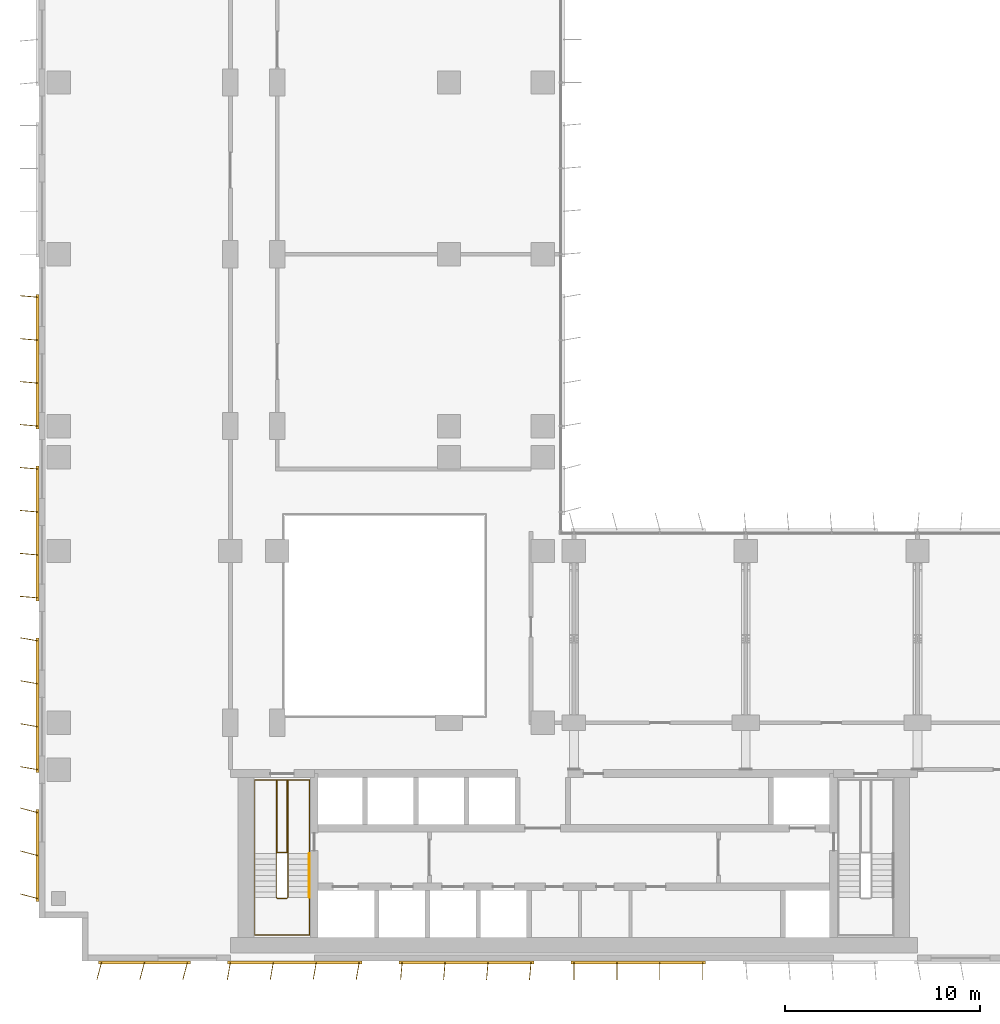
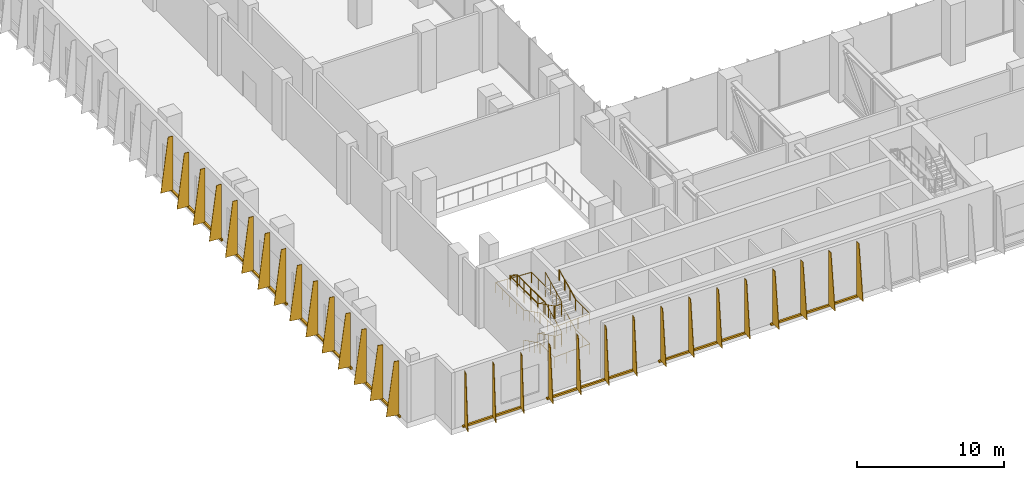
# One storey, part 16 of 21: 8 shading devices, 4 railings.
"""IFC4 building model written with IfcOpenShell, lengths in metres."""

from ifc_helpers import new_model, si_unit, direction, frame, origin, origin_2d, place, context, subcontext, project, spatial, polyline, rectangle, circle, outline, extrude, source, transform, mapped, material, layer, layer_set, type_object, element, save


model = new_model("IFC4")

# Units and contexts
model_context = context("Model", 3, precision=1e-05, world=origin(), true_north=direction((0.0, 1.0)))
body_context = subcontext(model_context, "Body", "Model", "MODEL_VIEW")
ifc_project = project(units=[si_unit("LENGTHUNIT", "METRE"), si_unit("AREAUNIT", "SQUARE_METRE"), si_unit("VOLUMEUNIT", "CUBIC_METRE"), si_unit("PLANEANGLEUNIT", "RADIAN"), si_unit("MASSUNIT", "GRAM", prefix="KILO")], contexts=[model_context])

# Site, building, storey
site_placement = place(None, origin())
site = spatial("IfcSite", under=ifc_project, at=site_placement, CompositionType="ELEMENT")
building_placement = place(site_placement, origin())
building = spatial("IfcBuilding", under=site, at=building_placement, Name="Kemantara Hotel Tower", CompositionType="ELEMENT")
storey_placement = place(building_placement, frame((0.0, 0.0, 133.300048828125)))
storey = spatial("IfcBuildingStorey", under=building, at=storey_placement, Name="L32", CompositionType="ELEMENT", Elevation=133.300048828125)

# Railings
ifc_material_1 = material(Name="Stainless steel balustrade", Category="steel")
railing_type_1 = type_object("IfcRailingType", Name="Stair guard 1100 mm", PredefinedType="GUARDRAIL", material=ifc_material_1)
railing_1_placement = place(storey_placement, frame((12.75, 5.5, 5.0)))
element("IfcRailing", 1, at=railing_1_placement, inside=storey, type_object=railing_type_1, Name="L32 ST1 stair guard 1", PredefinedType="GUARDRAIL", context=body_context, shape_type="SweptSolid", body=[
    extrude(circle(Radius=0.02392578125, at=origin_2d()), frame((0.0, 0.0, 1.076171875), z_axis=(0.0, -0.895848192791, -0.444360231651), x_axis=(1.0, 0.0, 0.0)), (0.0, 0.0, 1.0), 2.50048828125),
    extrude(circle(Radius=0.02392578125, at=origin_2d()), frame((0.0, -2.239990234375, -0.03515625), z_axis=(-0.321014310373, -0.321014310373, -0.891010451718), x_axis=(0.707106781187, -0.707106781187, 0.0)), (0.0, 0.0, 1.0), 0.156005859375),
    extrude(circle(Radius=0.02392578125, at=origin_2d()), frame((-0.050048828125, -2.2900390625, -0.173828125), z_axis=(-1.0, 0.0, 0.0), x_axis=(0.0, -1.0, 0.0)), (0.0, 0.0, 1.0), 0.5),
    extrude(circle(Radius=0.02392578125, at=origin_2d()), frame((-0.550048828125, -2.2900390625, -0.173828125), z_axis=(-0.707106781187, 0.707106781187, 0.0), x_axis=(-0.707106781187, -0.707106781187, 0.0)), (0.0, 0.0, 1.0), 0.07080078125),
    extrude(circle(Radius=0.02392578125, at=origin_2d()), frame((-0.60009765625, -2.239990234375, -0.173828125), z_axis=(0.0, 0.895848192791, -0.444360231651), x_axis=(-1.0, 0.0, 0.0)), (0.0, 0.0, 1.0), 2.50048828125),
    extrude(circle(Radius=0.02392578125, at=origin_2d()), frame((-0.60009765625, 0.0, -1.28515625), z_axis=(0.0, 1.0, 0.0), x_axis=(-1.0, 0.0, 0.0)), (0.0, 0.0, 1.0), 3.780029296875),
    extrude(circle(Radius=0.02392578125, at=origin_2d()), frame((-0.60009765625, 3.780029296875, -1.28515625), z_axis=(0.969557479204, 0.0, -0.244863828525), x_axis=(0.0, 1.0, 0.0)), (0.0, 0.0, 1.0), 0.5673828125),
    extrude(circle(Radius=0.02392578125, at=origin_2d()), frame((-0.050048828125, 3.780029296875, -1.423828125), z_axis=(0.0, -1.0, 0.0), x_axis=(1.0, 0.0, 0.0)), (0.0, 0.0, 1.0), 3.72998046875),
    extrude(circle(Radius=0.02392578125, at=origin_2d()), frame((-0.050048828125, 0.050048828125, -1.423828125), z_axis=(-1.0, 0.0, 0.0), x_axis=(0.0, -1.0, 0.0)), (0.0, 0.0, 1.0), 0.5),
    extrude(circle(Radius=0.02392578125, at=origin_2d()), frame((-0.550048828125, 0.050048828125, -1.423828125), z_axis=(0.0, 1.0, 0.0), x_axis=(-1.0, 0.0, 0.0)), (0.0, 0.0, 1.0), 3.72998046875),
    extrude(circle(Radius=0.02392578125, at=origin_2d()), frame((-0.550048828125, 3.780029296875, -1.423828125), z_axis=(1.0, 0.0, 0.0), x_axis=(0.0, 1.0, 0.0)), (0.0, 0.0, 1.0), 0.550048828125),
    extrude(circle(Radius=0.02392578125, at=origin_2d()), frame((0.0, 3.780029296875, -1.423828125), z_axis=(0.0, -1.0, 0.0), x_axis=(1.0, 0.0, 0.0)), (0.0, 0.0, 1.0), 3.780029296875),
    extrude(circle(Radius=0.02392578125, at=origin_2d()), frame((0.0, 0.0, -1.423828125), z_axis=(0.0, -0.895848192791, -0.444360231651), x_axis=(1.0, 0.0, 0.0)), (0.0, 0.0, 1.0), 2.50048828125),
    extrude(circle(Radius=0.02392578125, at=origin_2d()), frame((0.0, -2.239990234375, -2.53515625), z_axis=(-0.321014310373, -0.321014310373, -0.891010451718), x_axis=(0.707106781187, -0.707106781187, 0.0)), (0.0, 0.0, 1.0), 0.156005859375),
    extrude(circle(Radius=0.02392578125, at=origin_2d()), frame((-0.050048828125, -2.2900390625, -2.673828125), z_axis=(-1.0, 0.0, 0.0), x_axis=(0.0, -1.0, 0.0)), (0.0, 0.0, 1.0), 0.5),
    extrude(circle(Radius=0.02392578125, at=origin_2d()), frame((-0.550048828125, -2.2900390625, -2.673828125), z_axis=(-0.707106781187, 0.707106781187, 0.0), x_axis=(-0.707106781187, -0.707106781187, 0.0)), (0.0, 0.0, 1.0), 0.07080078125),
    extrude(circle(Radius=0.02392578125, at=origin_2d()), frame((-0.60009765625, -2.239990234375, -2.673828125), z_axis=(0.0, 0.895848192791, -0.444360231651), x_axis=(-1.0, 0.0, 0.0)), (0.0, 0.0, 1.0), 2.50048828125),
    extrude(circle(Radius=0.02392578125, at=origin_2d()), frame((-0.60009765625, 0.0, -3.78515625), z_axis=(0.321014310373, 0.321014310373, -0.891010451718), x_axis=(-0.707106781187, 0.707106781187, 0.0)), (0.0, 0.0, 1.0), 0.156005859375),
    extrude(circle(Radius=0.02392578125, at=origin_2d()), frame((-0.550048828125, 0.050048828125, -3.923828125), z_axis=(1.0, 0.0, 0.0), x_axis=(0.0, 1.0, 0.0)), (0.0, 0.0, 1.0), 0.5),
    extrude(circle(Radius=0.02099609375, at=origin_2d()), origin(), (0.0, 0.0, 1.0), 1.052001953125),
    extrude(circle(Radius=0.02099609375, at=origin_2d()), frame((0.0, -0.74658203125, -0.370361328125)), (0.0, 0.0, 1.0), 1.052001953125),
    extrude(circle(Radius=0.02099609375, at=origin_2d()), frame((0.0, -1.493408203125, -0.74072265625)), (0.0, 0.0, 1.0), 1.052001953125),
    extrude(circle(Radius=0.02099609375, at=origin_2d()), frame((0.0, -2.239990234375, -1.111083984375)), (0.0, 0.0, 1.0), 1.052001953125),
    extrude(circle(Radius=0.02099609375, at=origin_2d()), frame((-0.050048828125, -2.2900390625, -1.25)), (0.0, 0.0, 1.0), 1.052001953125),
    extrude(circle(Radius=0.02099609375, at=origin_2d()), frame((-0.550048828125, -2.2900390625, -1.25)), (0.0, 0.0, 1.0), 1.052001953125),
    extrude(circle(Radius=0.02099609375, at=origin_2d()), frame((-0.60009765625, -2.239990234375, -1.25)), (0.0, 0.0, 1.0), 1.052001953125),
    extrude(circle(Radius=0.02099609375, at=origin_2d()), frame((-0.60009765625, -1.493408203125, -1.620361328125)), (0.0, 0.0, 1.0), 1.052001953125),
    extrude(circle(Radius=0.02099609375, at=origin_2d()), frame((-0.60009765625, -0.74658203125, -1.99072265625)), (0.0, 0.0, 1.0), 1.052001953125),
    extrude(circle(Radius=0.02099609375, at=origin_2d()), frame((-0.60009765625, 0.0, -2.361083984375)), (0.0, 0.0, 1.0), 1.052001953125),
    extrude(circle(Radius=0.02099609375, at=origin_2d()), frame((-0.60009765625, 0.945068359375, -2.361083984375)), (0.0, 0.0, 1.0), 1.052001953125),
    extrude(circle(Radius=0.02099609375, at=origin_2d()), frame((-0.60009765625, 1.89013671875, -2.361083984375)), (0.0, 0.0, 1.0), 1.052001953125),
    extrude(circle(Radius=0.02099609375, at=origin_2d()), frame((-0.60009765625, 2.8349609375, -2.361083984375)), (0.0, 0.0, 1.0), 1.052001953125),
    extrude(circle(Radius=0.02099609375, at=origin_2d()), frame((-0.60009765625, 3.780029296875, -2.361083984375)), (0.0, 0.0, 1.0), 1.052001953125),
    extrude(circle(Radius=0.02099609375, at=origin_2d()), frame((-0.050048828125, 3.780029296875, -2.5)), (0.0, 0.0, 1.0), 1.052001953125),
    extrude(circle(Radius=0.02099609375, at=origin_2d()), frame((-0.050048828125, 2.84765625, -2.5)), (0.0, 0.0, 1.0), 1.052001953125),
    extrude(circle(Radius=0.02099609375, at=origin_2d()), frame((-0.050048828125, 1.9150390625, -2.5)), (0.0, 0.0, 1.0), 1.052001953125),
    extrude(circle(Radius=0.02099609375, at=origin_2d()), frame((-0.050048828125, 0.982421875, -2.5)), (0.0, 0.0, 1.0), 1.052001953125),
    extrude(circle(Radius=0.02099609375, at=origin_2d()), frame((-0.050048828125, 0.050048828125, -2.5)), (0.0, 0.0, 1.0), 1.052001953125),
    extrude(circle(Radius=0.02099609375, at=origin_2d()), frame((-0.550048828125, 0.050048828125, -2.5)), (0.0, 0.0, 1.0), 1.052001953125),
    extrude(circle(Radius=0.02099609375, at=origin_2d()), frame((-0.550048828125, 0.982421875, -2.5)), (0.0, 0.0, 1.0), 1.052001953125),
    extrude(circle(Radius=0.02099609375, at=origin_2d()), frame((-0.550048828125, 1.9150390625, -2.5)), (0.0, 0.0, 1.0), 1.052001953125),
    extrude(circle(Radius=0.02099609375, at=origin_2d()), frame((-0.550048828125, 2.84765625, -2.5)), (0.0, 0.0, 1.0), 1.052001953125),
    extrude(circle(Radius=0.02099609375, at=origin_2d()), frame((-0.550048828125, 3.780029296875, -2.5)), (0.0, 0.0, 1.0), 1.052001953125),
    extrude(circle(Radius=0.02099609375, at=origin_2d()), frame((0.0, 3.780029296875, -2.5)), (0.0, 0.0, 1.0), 1.052001953125),
    extrude(circle(Radius=0.02099609375, at=origin_2d()), frame((0.0, 2.8349609375, -2.5)), (0.0, 0.0, 1.0), 1.052001953125),
    extrude(circle(Radius=0.02099609375, at=origin_2d()), frame((0.0, 1.89013671875, -2.5)), (0.0, 0.0, 1.0), 1.052001953125),
    extrude(circle(Radius=0.02099609375, at=origin_2d()), frame((0.0, 0.945068359375, -2.5)), (0.0, 0.0, 1.0), 1.052001953125),
    extrude(circle(Radius=0.02099609375, at=origin_2d()), frame((0.0, 0.0, -2.5)), (0.0, 0.0, 1.0), 1.052001953125),
    extrude(circle(Radius=0.02099609375, at=origin_2d()), frame((0.0, -0.74658203125, -2.870361328125)), (0.0, 0.0, 1.0), 1.052001953125),
    extrude(circle(Radius=0.02099609375, at=origin_2d()), frame((0.0, -1.493408203125, -3.24072265625)), (0.0, 0.0, 1.0), 1.052001953125),
    extrude(circle(Radius=0.02099609375, at=origin_2d()), frame((0.0, -2.239990234375, -3.611083984375)), (0.0, 0.0, 1.0), 1.052001953125),
    extrude(circle(Radius=0.02099609375, at=origin_2d()), frame((-0.050048828125, -2.2900390625, -3.75)), (0.0, 0.0, 1.0), 1.052001953125),
    extrude(circle(Radius=0.02099609375, at=origin_2d()), frame((-0.550048828125, -2.2900390625, -3.75)), (0.0, 0.0, 1.0), 1.052001953125),
    extrude(circle(Radius=0.02099609375, at=origin_2d()), frame((-0.60009765625, -2.239990234375, -3.75)), (0.0, 0.0, 1.0), 1.052001953125),
    extrude(circle(Radius=0.02099609375, at=origin_2d()), frame((-0.60009765625, -1.493408203125, -4.120361328125)), (0.0, 0.0, 1.0), 1.052001953125),
    extrude(circle(Radius=0.02099609375, at=origin_2d()), frame((-0.60009765625, -0.74658203125, -4.49072265625)), (0.0, 0.0, 1.0), 1.052001953125),
    extrude(circle(Radius=0.02099609375, at=origin_2d()), frame((-0.60009765625, 0.0, -4.861083984375)), (0.0, 0.0, 1.0), 1.052001953125),
    extrude(circle(Radius=0.02099609375, at=origin_2d()), frame((-0.550048828125, 0.050048828125, -5.0)), (0.0, 0.0, 1.0), 1.052001953125),
    extrude(circle(Radius=0.02099609375, at=origin_2d()), frame((-0.050048828125, 0.050048828125, -5.0)), (0.0, 0.0, 1.0), 1.052001953125),
])
railing_type_2 = type_object("IfcRailingType", Name="Stair handrail 900 mm", PredefinedType="HANDRAIL", material=ifc_material_1)
railing_2_placement = place(storey_placement, frame((11.050048828125, 5.5, 0.138916015625)))
element("IfcRailing", 2, at=railing_2_placement, inside=storey, type_object=railing_type_2, Name="L32 ST1 stair handrail 1", PredefinedType="HANDRAIL", context=body_context, shape_type="SweptSolid", body=[
    extrude(circle(Radius=0.02392578125, at=origin_2d()), frame((0.0, 0.0, 0.8759765625), z_axis=(0.0, -0.895848192791, 0.444360231651), x_axis=(1.0, 0.0, 0.0)), (0.0, 0.0, 1.0), 2.50048828125),
    extrude(circle(Radius=0.02392578125, at=origin_2d()), frame((0.0, -2.239990234375, 1.98681640625), z_axis=(0.0, -1.0, 0.0), x_axis=(1.0, 0.0, 0.0)), (0.0, 0.0, 1.0), 1.93994140625),
    extrude(circle(Radius=0.02392578125, at=origin_2d()), frame((0.0, -4.179931640625, 1.98681640625), z_axis=(0.998771592041, 0.0, 0.049551053786), x_axis=(0.0, 1.0, 0.0)), (0.0, 0.0, 1.0), 2.803466796875),
    extrude(circle(Radius=0.02392578125, at=origin_2d()), frame((2.800048828125, -4.179931640625, 2.1259765625), z_axis=(0.0, 1.0, 0.0), x_axis=(-1.0, 0.0, 0.0)), (0.0, 0.0, 1.0), 1.93994140625),
    extrude(circle(Radius=0.02392578125, at=origin_2d()), frame((2.800048828125, -2.239990234375, 2.1259765625), z_axis=(0.0, 0.895848192791, 0.444360231651), x_axis=(-1.0, 0.0, 0.0)), (0.0, 0.0, 1.0), 2.50048828125),
    extrude(circle(Radius=0.02099609375, at=origin_2d()), origin(), (0.0, 0.0, 1.0), 0.851806640625),
    extrude(circle(Radius=0.02099609375, at=origin_2d()), frame((0.0, -0.74658203125, 0.370361328125)), (0.0, 0.0, 1.0), 0.851806640625),
    extrude(circle(Radius=0.02099609375, at=origin_2d()), frame((0.0, -1.493408203125, 0.74072265625)), (0.0, 0.0, 1.0), 0.851806640625),
    extrude(circle(Radius=0.02099609375, at=origin_2d()), frame((0.0, -2.239990234375, 1.111083984375)), (0.0, 0.0, 1.0), 0.851806640625),
    extrude(circle(Radius=0.02099609375, at=origin_2d()), frame((0.0, -3.2099609375, 1.111083984375)), (0.0, 0.0, 1.0), 0.851806640625),
    extrude(circle(Radius=0.02099609375, at=origin_2d()), frame((0.0, -4.179931640625, 1.111083984375)), (0.0, 0.0, 1.0), 0.851806640625),
    extrude(circle(Radius=0.02099609375, at=origin_2d()), frame((0.933349609375, -4.179931640625, 1.157470703125)), (0.0, 0.0, 1.0), 0.851806640625),
    extrude(circle(Radius=0.02099609375, at=origin_2d()), frame((1.86669921875, -4.179931640625, 1.20361328125)), (0.0, 0.0, 1.0), 0.851806640625),
    extrude(circle(Radius=0.02099609375, at=origin_2d()), frame((2.800048828125, -4.179931640625, 1.25)), (0.0, 0.0, 1.0), 0.851806640625),
    extrude(circle(Radius=0.02099609375, at=origin_2d()), frame((2.800048828125, -3.2099609375, 1.25)), (0.0, 0.0, 1.0), 0.851806640625),
    extrude(circle(Radius=0.02099609375, at=origin_2d()), frame((2.800048828125, -2.239990234375, 1.25)), (0.0, 0.0, 1.0), 0.851806640625),
    extrude(circle(Radius=0.02099609375, at=origin_2d()), frame((2.800048828125, -1.493408203125, 1.620361328125)), (0.0, 0.0, 1.0), 0.851806640625),
    extrude(circle(Radius=0.02099609375, at=origin_2d()), frame((2.800048828125, -0.74658203125, 1.99072265625)), (0.0, 0.0, 1.0), 0.851806640625),
    extrude(circle(Radius=0.02099609375, at=origin_2d()), frame((2.800048828125, 0.0, 2.361083984375)), (0.0, 0.0, 1.0), 0.851806640625),
])
railing_3_placement = place(storey_placement, frame((13.85009765625, 5.5, 2.5)))
element("IfcRailing", 3, at=railing_3_placement, inside=storey, type_object=railing_type_2, Name="L32 ST1 stair handrail 2", PredefinedType="HANDRAIL", context=body_context, shape_type="SweptSolid", body=[
    extrude(circle(Radius=0.02392578125, at=origin_2d()), frame((0.0, 0.0, 0.8759765625), z_axis=(0.0, 1.0, 0.0), x_axis=(-1.0, 0.0, 0.0)), (0.0, 0.0, 1.0), 3.780029296875),
    extrude(circle(Radius=0.02392578125, at=origin_2d()), frame((0.0, 3.780029296875, 0.8759765625), z_axis=(-0.998771592041, 0.0, 0.049551053786), x_axis=(0.0, -1.0, 0.0)), (0.0, 0.0, 1.0), 2.803466796875),
    extrude(circle(Radius=0.02392578125, at=origin_2d()), frame((-2.800048828125, 3.780029296875, 1.0146484375), z_axis=(0.0, -1.0, 0.0), x_axis=(1.0, 0.0, 0.0)), (0.0, 0.0, 1.0), 3.780029296875),
    extrude(circle(Radius=0.02392578125, at=origin_2d()), frame((-2.800048828125, 0.0, 1.0146484375), z_axis=(0.0, -0.895848192791, 0.444360231651), x_axis=(1.0, 0.0, 0.0)), (0.0, 0.0, 1.0), 2.50048828125),
    extrude(circle(Radius=0.02392578125, at=origin_2d()), frame((-2.800048828125, -2.239990234375, 2.1259765625), z_axis=(0.0, -1.0, 0.0), x_axis=(1.0, 0.0, 0.0)), (0.0, 0.0, 1.0), 1.93994140625),
    extrude(circle(Radius=0.02392578125, at=origin_2d()), frame((-2.800048828125, -4.179931640625, 2.1259765625), z_axis=(0.998771592041, 0.0, 0.049551053786), x_axis=(0.0, 1.0, 0.0)), (0.0, 0.0, 1.0), 2.803466796875),
    extrude(circle(Radius=0.02392578125, at=origin_2d()), frame((0.0, -4.179931640625, 2.2646484375), z_axis=(0.0, 1.0, 0.0), x_axis=(-1.0, 0.0, 0.0)), (0.0, 0.0, 1.0), 1.93994140625),
    extrude(circle(Radius=0.02099609375, at=origin_2d()), origin(), (0.0, 0.0, 1.0), 0.851806640625),
    extrude(circle(Radius=0.02099609375, at=origin_2d()), frame((0.0, 0.945068359375, 0.0)), (0.0, 0.0, 1.0), 0.851806640625),
    extrude(circle(Radius=0.02099609375, at=origin_2d()), frame((0.0, 1.89013671875, 0.0)), (0.0, 0.0, 1.0), 0.851806640625),
    extrude(circle(Radius=0.02099609375, at=origin_2d()), frame((0.0, 2.8349609375, 0.0)), (0.0, 0.0, 1.0), 0.851806640625),
    extrude(circle(Radius=0.02099609375, at=origin_2d()), frame((0.0, 3.780029296875, 0.0)), (0.0, 0.0, 1.0), 0.851806640625),
    extrude(circle(Radius=0.02099609375, at=origin_2d()), frame((-0.933349609375, 3.780029296875, 0.04638671875)), (0.0, 0.0, 1.0), 0.851806640625),
    extrude(circle(Radius=0.02099609375, at=origin_2d()), frame((-1.86669921875, 3.780029296875, 0.092529296875)), (0.0, 0.0, 1.0), 0.851806640625),
    extrude(circle(Radius=0.02099609375, at=origin_2d()), frame((-2.800048828125, 3.780029296875, 0.138916015625)), (0.0, 0.0, 1.0), 0.851806640625),
    extrude(circle(Radius=0.02099609375, at=origin_2d()), frame((-2.800048828125, 2.8349609375, 0.138916015625)), (0.0, 0.0, 1.0), 0.851806640625),
    extrude(circle(Radius=0.02099609375, at=origin_2d()), frame((-2.800048828125, 1.89013671875, 0.138916015625)), (0.0, 0.0, 1.0), 0.851806640625),
    extrude(circle(Radius=0.02099609375, at=origin_2d()), frame((-2.800048828125, 0.945068359375, 0.138916015625)), (0.0, 0.0, 1.0), 0.851806640625),
    extrude(circle(Radius=0.02099609375, at=origin_2d()), frame((-2.800048828125, 0.0, 0.138916015625)), (0.0, 0.0, 1.0), 0.851806640625),
    extrude(circle(Radius=0.02099609375, at=origin_2d()), frame((-2.800048828125, -0.74658203125, 0.50927734375)), (0.0, 0.0, 1.0), 0.851806640625),
    extrude(circle(Radius=0.02099609375, at=origin_2d()), frame((-2.800048828125, -1.493408203125, 0.879638671875)), (0.0, 0.0, 1.0), 0.851806640625),
    extrude(circle(Radius=0.02099609375, at=origin_2d()), frame((-2.800048828125, -2.239990234375, 1.25)), (0.0, 0.0, 1.0), 0.851806640625),
    extrude(circle(Radius=0.02099609375, at=origin_2d()), frame((-2.800048828125, -3.2099609375, 1.25)), (0.0, 0.0, 1.0), 0.851806640625),
    extrude(circle(Radius=0.02099609375, at=origin_2d()), frame((-2.800048828125, -4.179931640625, 1.25)), (0.0, 0.0, 1.0), 0.851806640625),
    extrude(circle(Radius=0.02099609375, at=origin_2d()), frame((-1.86669921875, -4.179931640625, 1.29638671875)), (0.0, 0.0, 1.0), 0.851806640625),
    extrude(circle(Radius=0.02099609375, at=origin_2d()), frame((-0.933349609375, -4.179931640625, 1.342529296875)), (0.0, 0.0, 1.0), 0.851806640625),
    extrude(circle(Radius=0.02099609375, at=origin_2d()), frame((0.0, -4.179931640625, 1.388916015625)), (0.0, 0.0, 1.0), 0.851806640625),
    extrude(circle(Radius=0.02099609375, at=origin_2d()), frame((0.0, -3.2099609375, 1.388916015625)), (0.0, 0.0, 1.0), 0.851806640625),
    extrude(circle(Radius=0.02099609375, at=origin_2d()), frame((0.0, -2.239990234375, 1.388916015625)), (0.0, 0.0, 1.0), 0.851806640625),
])
railing_4_placement = place(storey_placement, frame((13.85009765625, 3.260009765625, 3.888916015625)))
element("IfcRailing", 4, at=railing_4_placement, inside=storey, type_object=railing_type_2, Name="L32 ST1 stair handrail 3", PredefinedType="HANDRAIL", context=body_context, shape_type="SweptSolid", body=[
    extrude(circle(Radius=0.02392578125, at=origin_2d()), frame((0.0, 0.0, 0.8759765625), z_axis=(0.0, 0.895848192791, 0.444360231651), x_axis=(-1.0, 0.0, 0.0)), (0.0, 0.0, 1.0), 2.50048828125),
    extrude(circle(Radius=0.02099609375, at=origin_2d()), origin(), (0.0, 0.0, 1.0), 0.851806640625),
    extrude(circle(Radius=0.02099609375, at=origin_2d()), frame((0.0, 0.74658203125, 0.370361328125)), (0.0, 0.0, 1.0), 0.851806640625),
    extrude(circle(Radius=0.02099609375, at=origin_2d()), frame((0.0, 1.493408203125, 0.74072265625)), (0.0, 0.0, 1.0), 0.851806640625),
    extrude(circle(Radius=0.02099609375, at=origin_2d()), frame((0.0, 2.239990234375, 1.111083984375)), (0.0, 0.0, 1.0), 0.851806640625),
])

# Shading devices
ifc_material_2 = material(Name="Perforated aluminium plate 4 mm bronze anodised", Category="aluminium")
ifc_layer_1 = layer(ifc_material_2, 0.0400390625)
ifc_layer_set_1 = layer_set([ifc_layer_1], Name="Perforated aluminium plate 4 mm bronze anodised")
shading_device_type_1 = type_object("IfcShadingDeviceType", Name="SCREEN FIN CASSETTE, 3 BLADES AT -15.0 DEG, 4500 HIGH", PredefinedType="USERDEFINED", material=ifc_layer_set_1)
shared_shape_1 = source(origin(), body_context, "Body", "SweptSolid", [
    extrude(rectangle(XDim=4.699951171875, YDim=0.14990234375, at=origin_2d()), frame((2.199951171875, -0.074951171875, -0.14990234375), z_axis=(0.0, 0.0, 1.0), x_axis=(1.0, 0.0, 0.0)), (0.0, 0.0, 1.0), 0.14990234375),
    extrude(outline(polyline([(0.0, 0.0), (0.89990234375, 0.0), (0.35009765625, 4.5), (0.0, 4.5), (0.0, 0.0)])), frame((0.019287109375, -0.080078125, 0.0), z_axis=(-0.966437683387, 0.256901156343, 0.0), x_axis=(-0.256901156343, -0.966437683387, 0.0)), (0.0, 0.0, 1.0), 0.039794921875),
    extrude(outline(polyline([(0.0, 0.0), (0.89990234375, 0.0), (0.35009765625, 4.5), (0.0, 4.5), (0.0, 0.0)])), frame((2.21923828125, -0.080078125, 0.0), z_axis=(-0.966437683387, 0.256901156343, 0.0), x_axis=(-0.256901156343, -0.966437683387, 0.0)), (0.0, 0.0, 1.0), 0.039794921875),
    extrude(outline(polyline([(0.0, 0.0), (0.89990234375, 0.0), (0.35009765625, 4.5), (0.0, 4.5), (0.0, 0.0)])), frame((4.41943359375, -0.080078125, 0.0), z_axis=(-0.966837822169, 0.255391122837, 0.0), x_axis=(-0.255391122837, -0.966837822169, 0.0)), (0.0, 0.0, 1.0), 0.0400390625),
])
for number, where, z_axis, x_axis, name in (
    (5, (0.0, 7.60009765625, 0.099853515625), (0.0, 0.0, 1.0), (0.0, -1.0, 0.0), "SCREEN FIN CASSETTE L32 T2-R04-9"),
    (6, (3.199951171875, 0.0, 0.099853515625), (0.0, 0.0, 1.0), (1.0, 0.0, 0.0), "SCREEN FIN CASSETTE L32 T2-R07-1"),
):
    element("IfcShadingDevice", number, at=place(storey_placement, frame(where, z_axis=z_axis, x_axis=x_axis)), inside=storey, type_object=shading_device_type_1, Name=name, ObjectType="SCREEN FIN", PredefinedType="USERDEFINED", context=body_context, shape_type="MappedRepresentation", body=[
        mapped(shared_shape_1, transform((0.0, 0.0, 0.0))),
    ])
ifc_layer_2 = layer(ifc_material_2, 0.0400390625)
ifc_layer_set_2 = layer_set([ifc_layer_2], Name="Perforated aluminium plate 4 mm bronze anodised")
shading_device_type_2 = type_object("IfcShadingDeviceType", Name="SCREEN FIN CASSETTE, 4 BLADES AT -10.0 DEG, 4500 HIGH", PredefinedType="USERDEFINED", material=ifc_layer_set_2)
shared_shape_2 = source(origin(), body_context, "Body", "SweptSolid", [
    extrude(rectangle(XDim=6.89990234375, YDim=0.14990234375, at=origin_2d()), frame((3.300048828125, -0.074951171875, -0.14990234375), z_axis=(0.0, 0.0, 1.0), x_axis=(1.0, 0.0, 0.0)), (0.0, 0.0, 1.0), 0.14990234375),
    extrude(outline(polyline([(0.0, 0.0), (0.89990234375, 0.0), (0.35009765625, 4.5), (0.0, 4.5), (0.0, 0.0)])), frame((0.019775390625, -0.078369140625, 0.0), z_axis=(-0.985389793052, 0.170314285219, 0.0), x_axis=(-0.170314285219, -0.985389793052, 0.0)), (0.0, 0.0, 1.0), 0.0400390625),
    extrude(outline(polyline([(0.0, 0.0), (0.89990234375, 0.0), (0.35009765625, 4.5), (0.0, 4.5), (0.0, 0.0)])), frame((2.2197265625, -0.078369140625, 0.0), z_axis=(-0.98521175482, 0.171341174751, 0.0), x_axis=(-0.171341174751, -0.98521175482, 0.0)), (0.0, 0.0, 1.0), 0.039794921875),
    extrude(outline(polyline([(0.0, 0.0), (0.89990234375, 0.0), (0.35009765625, 4.5), (0.0, 4.5), (0.0, 0.0)])), frame((4.419677734375, -0.078369140625, 0.0), z_axis=(-0.98521175482, 0.171341174751, 0.0), x_axis=(-0.171341174751, -0.98521175482, 0.0)), (0.0, 0.0, 1.0), 0.039794921875),
    extrude(outline(polyline([(0.0, 0.0), (0.89990234375, 0.0), (0.35009765625, 4.5), (0.0, 4.5), (0.0, 0.0)])), frame((6.61962890625, -0.078369140625, 0.0), z_axis=(-0.98521175482, 0.171341174751, 0.0), x_axis=(-0.171341174751, -0.98521175482, 0.0)), (0.0, 0.0, 1.0), 0.039794921875),
])
for number, where, z_axis, x_axis, name in (
    (7, (0.0, 16.39990234375, 0.099853515625), (0.0, 0.0, 1.0), (0.0, -1.0, 0.0), "SCREEN FIN CASSETTE L32 T2-R04-8"),
    (8, (9.800048828125, 0.0, 0.099853515625), (0.0, 0.0, 1.0), (1.0, 0.0, 0.0), "SCREEN FIN CASSETTE L32 T2-R07-2"),
):
    element("IfcShadingDevice", number, at=place(storey_placement, frame(where, z_axis=z_axis, x_axis=x_axis)), inside=storey, type_object=shading_device_type_2, Name=name, ObjectType="SCREEN FIN", PredefinedType="USERDEFINED", context=body_context, shape_type="MappedRepresentation", body=[
        mapped(shared_shape_2, transform((0.0, 0.0, 0.0))),
    ])
ifc_layer_3 = layer(ifc_material_2, 0.0400390625)
ifc_layer_set_3 = layer_set([ifc_layer_3], Name="Perforated aluminium plate 4 mm bronze anodised")
shading_device_type_3 = type_object("IfcShadingDeviceType", Name="SCREEN FIN CASSETTE, 4 BLADES AT -5.0 DEG, 4500 HIGH", PredefinedType="USERDEFINED", material=ifc_layer_set_3)
shared_shape_3 = source(origin(), body_context, "Body", "SweptSolid", [
    extrude(rectangle(XDim=6.89990234375, YDim=0.14990234375, at=origin_2d()), frame((3.300048828125, -0.074951171875, -0.14990234375), z_axis=(0.0, 0.0, 1.0), x_axis=(1.0, 0.0, 0.0)), (0.0, 0.0, 1.0), 0.14990234375),
    extrude(outline(polyline([(0.0, 0.0), (0.89990234375, 0.0), (0.35009765625, 4.5), (0.0, 4.5), (0.0, 0.0)])), frame((0.02001953125, -0.07666015625, 0.0), z_axis=(-0.996376129781, 0.085056498884, 0.0), x_axis=(-0.085056498884, -0.996376129781, 0.0)), (0.0, 0.0, 1.0), 0.040283203125),
    extrude(outline(polyline([(0.0, 0.0), (0.89990234375, 0.0), (0.35009765625, 4.5), (0.0, 4.5), (0.0, 0.0)])), frame((2.219970703125, -0.07666015625, 0.0), z_axis=(-0.996331773833, 0.085574508182, 0.0), x_axis=(-0.085574508182, -0.996331773833, 0.0)), (0.0, 0.0, 1.0), 0.0400390625),
    extrude(outline(polyline([(0.0, 0.0), (0.89990234375, 0.0), (0.35009765625, 4.5), (0.0, 4.5), (0.0, 0.0)])), frame((4.419921875, -0.07666015625, 0.0), z_axis=(-0.996331773833, 0.085574508182, 0.0), x_axis=(-0.085574508182, -0.996331773833, 0.0)), (0.0, 0.0, 1.0), 0.0400390625),
    extrude(outline(polyline([(0.0, 0.0), (0.89990234375, 0.0), (0.35009765625, 4.5), (0.0, 4.5), (0.0, 0.0)])), frame((6.619873046875, -0.07666015625, 0.0), z_axis=(-0.996331773833, 0.085574508182, 0.0), x_axis=(-0.085574508182, -0.996331773833, 0.0)), (0.0, 0.0, 1.0), 0.0400390625),
])
for number, where, z_axis, x_axis, name in (
    (9, (0.0, 34.0, 0.099853515625), (0.0, 0.0, 1.0), (0.0, -1.0, 0.0), "SCREEN FIN CASSETTE L32 T2-R04-6"),
    (10, (0.0, 25.199951171875, 0.099853515625), (0.0, 0.0, 1.0), (0.0, -1.0, 0.0), "SCREEN FIN CASSETTE L32 T2-R04-7"),
    (11, (18.60009765625, 0.0, 0.099853515625), (0.0, 0.0, 1.0), (1.0, 0.0, 0.0), "SCREEN FIN CASSETTE L32 T2-R07-3"),
):
    element("IfcShadingDevice", number, at=place(storey_placement, frame(where, z_axis=z_axis, x_axis=x_axis)), inside=storey, type_object=shading_device_type_3, Name=name, ObjectType="SCREEN FIN", PredefinedType="USERDEFINED", context=body_context, shape_type="MappedRepresentation", body=[
        mapped(shared_shape_3, transform((0.0, 0.0, 0.0))),
    ])
ifc_layer_4 = layer(ifc_material_2, 0.0400390625)
ifc_layer_set_4 = layer_set([ifc_layer_4], Name="Perforated aluminium plate 4 mm bronze anodised")
shading_device_type_4 = type_object("IfcShadingDeviceType", Name="SCREEN FIN CASSETTE, 4 BLADES AT +0.0 DEG, 4500 HIGH", PredefinedType="USERDEFINED", material=ifc_layer_set_4)
shared_shape_4 = source(origin(), body_context, "Body", "SweptSolid", [
    extrude(rectangle(XDim=6.89990234375, YDim=0.14990234375, at=origin_2d()), frame((3.300048828125, -0.074951171875, -0.14990234375), z_axis=(0.0, 0.0, 1.0), x_axis=(1.0, 0.0, 0.0)), (0.0, 0.0, 1.0), 0.14990234375),
    extrude(outline(polyline([(0.0, 0.0), (0.89990234375, 0.0), (0.35009765625, 4.5), (0.0, 4.5), (0.0, 0.0)])), frame((0.02001953125, -0.074951171875, 0.0), z_axis=(-1.0, 0.0, 0.0), x_axis=(0.0, -1.0, 0.0)), (0.0, 0.0, 1.0), 0.0400390625),
    extrude(outline(polyline([(0.0, 0.0), (0.89990234375, 0.0), (0.35009765625, 4.5), (0.0, 4.5), (0.0, 0.0)])), frame((2.219970703125, -0.074951171875, 0.0), z_axis=(-1.0, 0.0, 0.0), x_axis=(0.0, -1.0, 0.0)), (0.0, 0.0, 1.0), 0.0400390625),
    extrude(outline(polyline([(0.0, 0.0), (0.89990234375, 0.0), (0.35009765625, 4.5), (0.0, 4.5), (0.0, 0.0)])), frame((4.419921875, -0.074951171875, 0.0), z_axis=(-1.0, 0.0, 0.0), x_axis=(0.0, -1.0, 0.0)), (0.0, 0.0, 1.0), 0.0400390625),
    extrude(outline(polyline([(0.0, 0.0), (0.89990234375, 0.0), (0.35009765625, 4.5), (0.0, 4.5), (0.0, 0.0)])), frame((6.6201171875, -0.074951171875, 0.0), z_axis=(-1.0, 0.0, 0.0), x_axis=(0.0, -1.0, 0.0)), (0.0, 0.0, 1.0), 0.0400390625),
])
shading_device_placement = place(storey_placement, frame((27.39990234375, 0.0, 0.099853515625), z_axis=(0.0, 0.0, 1.0), x_axis=(1.0, 0.0, 0.0)))
element("IfcShadingDevice", 12, at=shading_device_placement, inside=storey, type_object=shading_device_type_4, Name="SCREEN FIN CASSETTE L32 T2-R07-4", ObjectType="SCREEN FIN", PredefinedType="USERDEFINED", context=body_context, shape_type="MappedRepresentation", body=[
    mapped(shared_shape_4, transform((0.0, 0.0, 0.0))),
])

save(model, "model.ifc")
